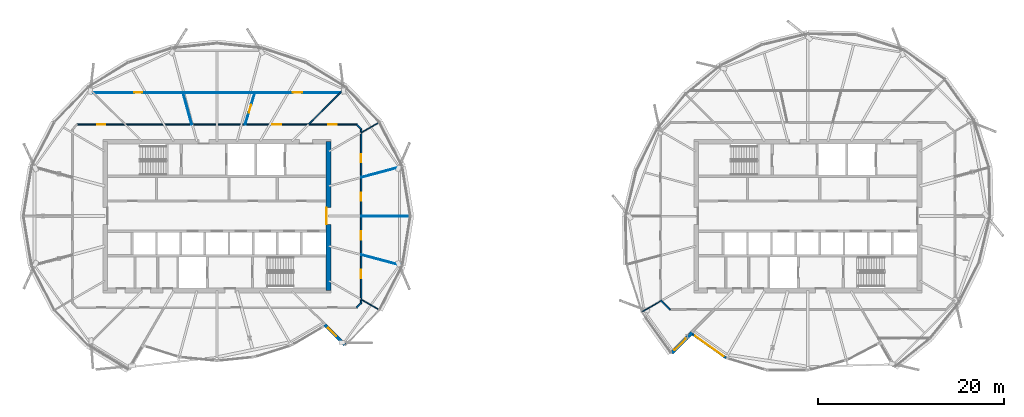
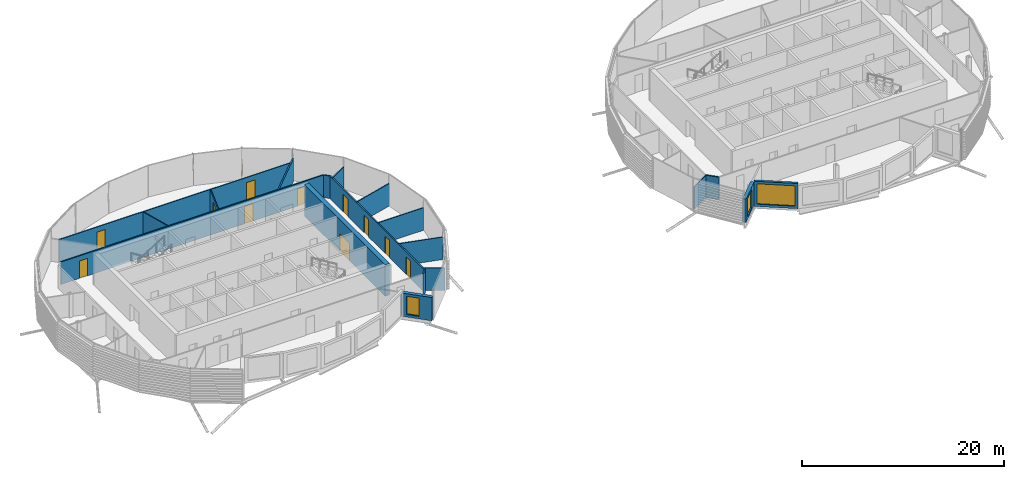
# One storey, part 20 of 35: 19 walls, 11 doors, 3 windows, 14 openings.
"""IFC4 building model written with IfcOpenShell, lengths in metres."""

from ifc_helpers import new_model, si_unit, direction, frame, frame_2d, origin, place, context, subcontext, project, spatial, rectangle, extrude, material, layer, layer_set, type_object, element, fill, save


model = new_model("IFC4")

# Units and contexts
model_context = context("Model", 3, precision=1e-05, world=origin(), true_north=direction((0.0, 1.0)))
body_context = subcontext(model_context, "Body", "Model", "MODEL_VIEW")
ifc_project = project(units=[si_unit("LENGTHUNIT", "METRE"), si_unit("AREAUNIT", "SQUARE_METRE"), si_unit("VOLUMEUNIT", "CUBIC_METRE"), si_unit("PLANEANGLEUNIT", "RADIAN"), si_unit("MASSUNIT", "GRAM", prefix="KILO")], contexts=[model_context])

# Site, building, storey
site_placement = place(None, origin())
site = spatial("IfcSite", under=ifc_project, at=site_placement, CompositionType="ELEMENT")
building_placement = place(site_placement, origin())
building = spatial("IfcBuilding", under=site, at=building_placement, Name="Rimbun Link Towers", CompositionType="ELEMENT")
storey_placement = place(building_placement, frame((0.0, 0.0, 229.5)))
storey = spatial("IfcBuildingStorey", under=building, at=storey_placement, Name="L56", CompositionType="ELEMENT", Elevation=229.5)

# Wall, opening, window
ifc_material_1 = material(Name="Dark enamelled glass spandrel on insulated aluminium backpan", Category="aluminium")
ifc_layer_1 = layer(ifc_material_1, 0.25)
ifc_layer_set_1 = layer_set([ifc_layer_1], Name="CS dark enamelled spandrel wall 250")
wall_type_1 = type_object("IfcWallType", Name="CS dark enamelled spandrel wall 250", PredefinedType="STANDARD", material=ifc_layer_set_1)
wall_1_placement = place(storey_placement, frame((22.960205078125, -15.24169921875, 0.0), z_axis=(0.0, 0.0, 1.0), x_axis=(-0.815761140311, 0.57838893658, 0.0)))
wall_1 = element("IfcWall", 1, at=wall_1_placement, inside=storey, type_object=wall_type_1, Name="Crease spandrel wall", PredefinedType="STANDARD", context=body_context, shape_type="SweptSolid", body=[
    extrude(rectangle(XDim=4.374267578125, YDim=0.25, at=frame_2d((2.18701171875, 0.0))), origin(), (0.0, 0.0, 1.0), 3.04736328125),
])
opening_1_placement = place(wall_1_placement, frame((0.312255859375, 0.0, 0.300048828125)))
opening_1 = element("IfcOpeningElement", 2, at=opening_1_placement, cuts=wall_1, Name="Opening WR38H245", PredefinedType="OPENING", context=body_context, shape_type="SweptSolid", body=[
    extrude(rectangle(XDim=3.75, YDim=2.449951171875, at=frame_2d((1.875, 1.22509765625))), frame((0.0, 0.135009765625, 0.0), z_axis=(0.0, -1.0, 0.0), x_axis=(1.0, 0.0, 0.0)), (0.0, 0.0, 1.0), 0.27001953125),
])
ifc_material_2 = material(Name="Aluminium framed fixed window, dark tinted low-e glass", Category="aluminium")
window_type_1 = type_object("IfcWindowType", Name="WR ribbon window 3750X2450", PartitioningType="SINGLE_PANEL", PredefinedType="WINDOW", material=ifc_material_2)
window_1_placement = place(opening_1_placement, origin())
window_1 = element("IfcWindow", 3, at=window_1_placement, inside=storey, type_object=window_type_1, Name="Crease ribbon window", OverallHeight=2.449951171875, OverallWidth=3.75, PartitioningType="SINGLE_PANEL", PredefinedType="WINDOW", context=body_context, shape_type="SweptSolid", body=[
    extrude(rectangle(XDim=3.75, YDim=2.449951171875, at=frame_2d((1.875, 1.22509765625))), frame((0.0, 0.030029296875, 0.0), z_axis=(0.0, -1.0, 0.0), x_axis=(1.0, 0.0, 0.0)), (0.0, 0.0, 1.0), 0.06005859375),
])
fill(opening_1, window_1)

ifc_material_3 = material(Name="Dark enamelled glass spandrel on insulated aluminium backpan", Category="aluminium")
ifc_layer_2 = layer(ifc_material_3, 0.3701171875)
ifc_layer_set_2 = layer_set([ifc_layer_2], Name="CS dark enamelled spandrel wall 370")
wall_type_2 = type_object("IfcWallType", Name="CS dark enamelled spandrel wall 370", PredefinedType="STANDARD", material=ifc_layer_set_2)
wall_2_placement = place(storey_placement, frame((-17.9951171875, -13.846923828125, 0.0), z_axis=(0.0, 0.0, 1.0), x_axis=(-0.707106781187, 0.707106781187, 0.0)))
wall_2 = element("IfcWall", 4, at=wall_2_placement, inside=storey, type_object=wall_type_2, Name="Crease spandrel wall", PredefinedType="STANDARD", context=body_context, shape_type="SweptSolid", body=[
    extrude(rectangle(XDim=3.080078125, YDim=0.3701171875, at=frame_2d((1.5400390625, 0.0))), origin(), (0.0, 0.0, 1.0), 2.809326171875),
])
opening_2_placement = place(wall_2_placement, frame((1.322265625, 0.0, 0.300048828125)))
opening_2 = element("IfcOpeningElement", 5, at=opening_2_placement, cuts=wall_2, Name="Opening WR12H220", PredefinedType="OPENING", context=body_context, shape_type="SweptSolid", body=[
    extrude(rectangle(XDim=1.25, YDim=2.199951171875, at=frame_2d((0.625, 1.10009765625))), frame((0.0, 0.195068359375, 0.0), z_axis=(0.0, -1.0, 0.0), x_axis=(1.0, 0.0, 0.0)), (0.0, 0.0, 1.0), 0.39013671875),
])
ifc_material_4 = material(Name="Aluminium framed fixed window, dark tinted low-e glass", Category="aluminium")
window_type_2 = type_object("IfcWindowType", Name="WR ribbon window 1250X2200", PartitioningType="SINGLE_PANEL", PredefinedType="WINDOW", material=ifc_material_4)
window_2_placement = place(opening_2_placement, origin())
window_2 = element("IfcWindow", 6, at=window_2_placement, inside=storey, type_object=window_type_2, Name="Crease ribbon window", OverallHeight=2.199951171875, OverallWidth=1.25, PartitioningType="SINGLE_PANEL", PredefinedType="WINDOW", context=body_context, shape_type="SweptSolid", body=[
    extrude(rectangle(XDim=1.25, YDim=2.199951171875, at=frame_2d((0.625, 1.10009765625))), frame((0.0, 0.030029296875, 0.0), z_axis=(0.0, -1.0, 0.0), x_axis=(1.0, 0.0, 0.0)), (0.0, 0.0, 1.0), 0.06005859375),
])
fill(opening_2, window_2)

wall_3_placement = place(storey_placement, frame((19.320556640625, -12.521240234375, 0.0), z_axis=(0.0, 0.0, 1.0), x_axis=(-0.707067146267, -0.707146413884, 0.0)))
wall_3 = element("IfcWall", 7, at=wall_3_placement, inside=storey, type_object=wall_type_2, Name="Crease spandrel wall", PredefinedType="STANDARD", context=body_context, shape_type="SweptSolid", body=[
    extrude(rectangle(XDim=3.079833984375, YDim=0.3701171875, at=frame_2d((1.5400390625, 0.0))), origin(), (0.0, 0.0, 1.0), 2.809326171875),
])
opening_3_placement = place(wall_3_placement, frame((0.90576171875, 0.0, 0.300048828125)))
opening_3 = element("IfcOpeningElement", 8, at=opening_3_placement, cuts=wall_3, Name="Opening WR18H220", PredefinedType="OPENING", context=body_context, shape_type="SweptSolid", body=[
    extrude(rectangle(XDim=1.75, YDim=2.199951171875, at=frame_2d((0.875, 1.10009765625))), frame((0.0, 0.195068359375, 0.0), z_axis=(0.0, -1.0, 0.0), x_axis=(1.0, 0.0, 0.0)), (0.0, 0.0, 1.0), 0.39013671875),
])
ifc_material_5 = material(Name="Aluminium framed fixed window, dark tinted low-e glass", Category="aluminium")
window_type_3 = type_object("IfcWindowType", Name="WR ribbon window 1750X2200", PartitioningType="SINGLE_PANEL", PredefinedType="WINDOW", material=ifc_material_5)
window_3_placement = place(opening_3_placement, origin())
window_3 = element("IfcWindow", 9, at=window_3_placement, inside=storey, type_object=window_type_3, Name="Crease ribbon window", OverallHeight=2.199951171875, OverallWidth=1.75, PartitioningType="SINGLE_PANEL", PredefinedType="WINDOW", context=body_context, shape_type="SweptSolid", body=[
    extrude(rectangle(XDim=1.75, YDim=2.199951171875, at=frame_2d((0.875, 1.10009765625))), frame((0.0, 0.030029296875, 0.0), z_axis=(0.0, -1.0, 0.0), x_axis=(1.0, 0.0, 0.0)), (0.0, 0.0, 1.0), 0.06005859375),
])
fill(opening_3, window_3)

# Wall, opening, door
ifc_material_6 = material(Name="Concrete C60/75", Category="concrete")
ifc_layer_3 = layer(ifc_material_6, 0.5)
ifc_layer_set_3 = layer_set([ifc_layer_3], Name="Core shear wall 500")
wall_type_3 = type_object("IfcWallType", Name="Core shear wall 500", PredefinedType="SHEAR", material=ifc_layer_set_3)
wall_4_placement = place(storey_placement, frame((-19.75, -8.0, 0.0), z_axis=(0.0, 0.0, 1.0), x_axis=(0.0, 1.0, 0.0)))
wall_4 = element("IfcWall", 10, at=wall_4_placement, inside=storey, type_object=wall_type_3, Name="L56 T1 core wall E", PredefinedType="SHEAR", context=body_context, shape_type="SweptSolid", body=[
    extrude(rectangle(XDim=16.0, YDim=0.5, at=frame_2d((8.0, 0.0))), origin(), (0.0, 0.0, 1.0), 3.800048828125),
])
opening_4_placement = place(wall_4_placement, frame((7.10009765625, 0.0, 0.0)))
opening_4 = element("IfcOpeningElement", 11, at=opening_4_placement, cuts=wall_4, Name="Opening C1DCL01E", PredefinedType="OPENING", context=body_context, shape_type="SweptSolid", body=[
    extrude(rectangle(XDim=1.800048828125, YDim=2.10009765625, at=frame_2d((0.89990234375, 1.050048828125))), frame((0.0, 0.260009765625, 0.0), z_axis=(0.0, -1.0, 0.0), x_axis=(1.0, 0.0, 0.0)), (0.0, 0.0, 1.0), 0.52001953125),
])
ifc_material_7 = material(Name="Steel fire door set", Category="steel")
door_type_1 = type_object("IfcDoorType", Name="Core lobby door double", OperationType="DOUBLE_DOOR_SINGLE_SWING", PredefinedType="DOOR", material=ifc_material_7)
door_1_placement = place(opening_4_placement, origin())
door_1 = element("IfcDoor", 12, at=door_1_placement, inside=storey, type_object=door_type_1, Name="L56 T1 lift lobby door", OperationType="DOUBLE_DOOR_SINGLE_SWING", OverallHeight=2.10009765625, OverallWidth=1.800048828125, PredefinedType="DOOR", context=body_context, shape_type="SweptSolid", body=[
    extrude(rectangle(XDim=1.800048828125, YDim=2.10009765625, at=frame_2d((0.89990234375, 1.050048828125))), frame((0.0, 0.25, 0.0), z_axis=(0.0, -1.0, 0.0), x_axis=(1.0, 0.0, 0.0)), (0.0, 0.0, 1.0), 0.050048828125),
])
fill(opening_4, door_1)

# Wall, openings, doors
ifc_material_8 = material(Name="Plasterboard on steel stud, mineral wool", Category="steel")
ifc_layer_4 = layer(ifc_material_8, 0.14990234375)
ifc_layer_set_4 = layer_set([ifc_layer_4], Name="Corridor wall EI 30 150 mm")
wall_type_4 = type_object("IfcWallType", Name="Corridor wall EI 30 150 mm", PredefinedType="PARTITIONING", material=ifc_layer_set_4)
wall_5_placement = place(storey_placement, frame((-46.753662109375, 9.844970703125, 0.0), z_axis=(0.0, 0.0, 1.0), x_axis=(1.0, 0.0, 0.0)))
wall_5 = element("IfcWall", 13, at=wall_5_placement, inside=storey, type_object=wall_type_4, Name="Corridor wall EI 30 150 mm", PredefinedType="PARTITIONING", context=body_context, shape_type="SweptSolid", body=[
    extrude(rectangle(XDim=30.00732421875, YDim=0.14990234375, at=frame_2d((15.003662109375, 0.0))), origin(), (0.0, 0.0, 1.0), 2.721923828125),
])
opening_5_placement = place(wall_5_placement, frame((26.97802734375, 0.0, 0.0)))
opening_5 = element("IfcOpeningElement", 14, at=opening_5_placement, cuts=wall_5, Name="Opening D02", PredefinedType="OPENING", context=body_context, shape_type="SweptSolid", body=[
    extrude(rectangle(XDim=0.89990234375, YDim=2.10009765625, at=frame_2d((0.449951171875, 1.050048828125))), frame((0.0, 0.0849609375, 0.0), z_axis=(0.0, -1.0, 0.0), x_axis=(1.0, 0.0, 0.0)), (0.0, 0.0, 1.0), 0.169921875),
])
opening_6_placement = place(wall_5_placement, frame((20.942138671875, 0.0, 0.0)))
opening_6 = element("IfcOpeningElement", 15, at=opening_6_placement, cuts=wall_5, Name="Opening D01", PredefinedType="OPENING", context=body_context, shape_type="SweptSolid", body=[
    extrude(rectangle(XDim=1.0, YDim=2.10009765625, at=frame_2d((0.5, 1.050048828125))), frame((0.0, 0.0849609375, 0.0), z_axis=(0.0, -1.0, 0.0), x_axis=(1.0, 0.0, 0.0)), (0.0, 0.0, 1.0), 0.169921875),
])
opening_7_placement = place(wall_5_placement, frame((2.12939453125, 0.0, 0.0)))
opening_7 = element("IfcOpeningElement", 16, at=opening_7_placement, cuts=wall_5, Name="Opening D02", PredefinedType="OPENING", context=body_context, shape_type="SweptSolid", body=[
    extrude(rectangle(XDim=0.89990234375, YDim=2.10009765625, at=frame_2d((0.449951171875, 1.050048828125))), frame((0.0, 0.0849609375, 0.0), z_axis=(0.0, -1.0, 0.0), x_axis=(1.0, 0.0, 0.0)), (0.0, 0.0, 1.0), 0.169921875),
])
ifc_material_9 = material(Name="Fire-resisting timber door leaf", Category="wood")
door_type_2 = type_object("IfcDoorType", Name="Fire door FD30S 1000", OperationType="NOTDEFINED", PredefinedType="DOOR", material=ifc_material_9)
door_2_placement = place(opening_6_placement, origin())
door_2 = element("IfcDoor", 17, at=door_2_placement, inside=storey, type_object=door_type_2, Name="Fire door FD30S 1000 to Reception", OperationType="SINGLE_SWING_LEFT", OverallHeight=2.10009765625, OverallWidth=1.0, PredefinedType="DOOR", context=body_context, shape_type="SweptSolid", body=[
    extrude(rectangle(XDim=1.0, YDim=2.10009765625, at=frame_2d((0.5, 1.050048828125))), frame((0.0, 0.02490234375, 0.0), z_axis=(0.0, -1.0, 0.0), x_axis=(1.0, 0.0, 0.0)), (0.0, 0.0, 1.0), 0.050048828125),
])
fill(opening_6, door_2)
ifc_material_10 = material(Name="Fire-resisting timber door leaf", Category="wood")
door_type_3 = type_object("IfcDoorType", Name="Fire door FD30S 900", OperationType="NOTDEFINED", PredefinedType="DOOR", material=ifc_material_10)
door_3_placement = place(opening_5_placement, origin())
door_3 = element("IfcDoor", 18, at=door_3_placement, inside=storey, type_object=door_type_3, Name="Fire door FD30S 900 to Executive office", OperationType="SINGLE_SWING_RIGHT", OverallHeight=2.10009765625, OverallWidth=0.89990234375, PredefinedType="DOOR", context=body_context, shape_type="SweptSolid", body=[
    extrude(rectangle(XDim=0.89990234375, YDim=2.10009765625, at=frame_2d((0.449951171875, 1.050048828125))), frame((0.0, 0.02490234375, 0.0), z_axis=(0.0, -1.0, 0.0), x_axis=(1.0, 0.0, 0.0)), (0.0, 0.0, 1.0), 0.050048828125),
])
fill(opening_5, door_3)
door_4_placement = place(opening_7_placement, origin())
door_4 = element("IfcDoor", 19, at=door_4_placement, inside=storey, type_object=door_type_3, Name="Fire door FD30S 900 to Boardroom", OperationType="SINGLE_SWING_RIGHT", OverallHeight=2.10009765625, OverallWidth=0.89990234375, PredefinedType="DOOR", context=body_context, shape_type="SweptSolid", body=[
    extrude(rectangle(XDim=0.89990234375, YDim=2.10009765625, at=frame_2d((0.449951171875, 1.050048828125))), frame((0.0, 0.02490234375, 0.0), z_axis=(0.0, -1.0, 0.0), x_axis=(1.0, 0.0, 0.0)), (0.0, 0.0, 1.0), 0.050048828125),
])
fill(opening_7, door_4)

# Wall
wall_6_placement = place(storey_placement, frame((-16.2451171875, 9.34375, 0.0), z_axis=(0.0, 0.0, 1.0), x_axis=(-0.707106781187, 0.707106781187, 0.0)))
element("IfcWall", 20, at=wall_6_placement, inside=storey, type_object=wall_type_4, Name="Corridor wall EI 30 150 mm", PredefinedType="PARTITIONING", context=body_context, shape_type="SweptSolid", body=[
    extrude(rectangle(XDim=0.708740234375, YDim=0.14990234375, at=frame_2d((0.3544921875, 0.0))), origin(), (0.0, 0.0, 1.0), 2.721923828125),
])

# Wall, openings, doors
wall_7_placement = place(storey_placement, frame((-16.2451171875, 9.34375, 0.0), z_axis=(0.0, 0.0, 1.0), x_axis=(0.0, -1.0, 0.0)))
wall_7 = element("IfcWall", 21, at=wall_7_placement, inside=storey, type_object=wall_type_4, Name="Corridor wall EI 30 150 mm", PredefinedType="PARTITIONING", context=body_context, shape_type="SweptSolid", body=[
    extrude(rectangle(XDim=18.6875, YDim=0.14990234375, at=frame_2d((9.34375, 0.0))), origin(), (0.0, 0.0, 1.0), 2.721923828125),
])
opening_8_placement = place(wall_7_placement, frame((15.111083984375, 0.0, 0.0)))
opening_8 = element("IfcOpeningElement", 22, at=opening_8_placement, cuts=wall_7, Name="Opening D02", PredefinedType="OPENING", context=body_context, shape_type="SweptSolid", body=[
    extrude(rectangle(XDim=0.89990234375, YDim=2.10009765625, at=frame_2d((0.449951171875, 1.050048828125))), frame((0.0, 0.0849609375, 0.0), z_axis=(0.0, -1.0, 0.0), x_axis=(1.0, 0.0, 0.0)), (0.0, 0.0, 1.0), 0.169921875),
])
opening_9_placement = place(wall_7_placement, frame((10.970947265625, 0.0, 0.0)))
opening_9 = element("IfcOpeningElement", 23, at=opening_9_placement, cuts=wall_7, Name="Opening D02", PredefinedType="OPENING", context=body_context, shape_type="SweptSolid", body=[
    extrude(rectangle(XDim=0.89990234375, YDim=2.10009765625, at=frame_2d((0.449951171875, 1.050048828125))), frame((0.0, 0.0849609375, 0.0), z_axis=(0.0, -1.0, 0.0), x_axis=(1.0, 0.0, 0.0)), (0.0, 0.0, 1.0), 0.169921875),
])
opening_10_placement = place(wall_7_placement, frame((6.81640625, 0.0, 0.0)))
opening_10 = element("IfcOpeningElement", 24, at=opening_10_placement, cuts=wall_7, Name="Opening D02", PredefinedType="OPENING", context=body_context, shape_type="SweptSolid", body=[
    extrude(rectangle(XDim=0.89990234375, YDim=2.10009765625, at=frame_2d((0.449951171875, 1.050048828125))), frame((0.0, 0.0849609375, 0.0), z_axis=(0.0, -1.0, 0.0), x_axis=(1.0, 0.0, 0.0)), (0.0, 0.0, 1.0), 0.169921875),
])
opening_11_placement = place(wall_7_placement, frame((2.676513671875, 0.0, 0.0)))
opening_11 = element("IfcOpeningElement", 25, at=opening_11_placement, cuts=wall_7, Name="Opening D02", PredefinedType="OPENING", context=body_context, shape_type="SweptSolid", body=[
    extrude(rectangle(XDim=0.89990234375, YDim=2.10009765625, at=frame_2d((0.449951171875, 1.050048828125))), frame((0.0, 0.0849609375, 0.0), z_axis=(0.0, -1.0, 0.0), x_axis=(1.0, 0.0, 0.0)), (0.0, 0.0, 1.0), 0.169921875),
])
door_5_placement = place(opening_8_placement, origin())
door_5 = element("IfcDoor", 26, at=door_5_placement, inside=storey, type_object=door_type_3, Name="Fire door FD30S 900 to Executive office", OperationType="SINGLE_SWING_RIGHT", OverallHeight=2.10009765625, OverallWidth=0.89990234375, PredefinedType="DOOR", context=body_context, shape_type="SweptSolid", body=[
    extrude(rectangle(XDim=0.89990234375, YDim=2.10009765625, at=frame_2d((0.449951171875, 1.050048828125))), frame((0.0, 0.02490234375, 0.0), z_axis=(0.0, -1.0, 0.0), x_axis=(1.0, 0.0, 0.0)), (0.0, 0.0, 1.0), 0.050048828125),
])
fill(opening_8, door_5)
door_6_placement = place(opening_9_placement, origin())
door_6 = element("IfcDoor", 27, at=door_6_placement, inside=storey, type_object=door_type_3, Name="Fire door FD30S 900 to Open office", OperationType="SINGLE_SWING_LEFT", OverallHeight=2.10009765625, OverallWidth=0.89990234375, PredefinedType="DOOR", context=body_context, shape_type="SweptSolid", body=[
    extrude(rectangle(XDim=0.89990234375, YDim=2.10009765625, at=frame_2d((0.449951171875, 1.050048828125))), frame((0.0, 0.02490234375, 0.0), z_axis=(0.0, -1.0, 0.0), x_axis=(1.0, 0.0, 0.0)), (0.0, 0.0, 1.0), 0.050048828125),
])
fill(opening_9, door_6)
door_7_placement = place(opening_10_placement, origin())
door_7 = element("IfcDoor", 28, at=door_7_placement, inside=storey, type_object=door_type_3, Name="Fire door FD30S 900 to Boardroom", OperationType="SINGLE_SWING_RIGHT", OverallHeight=2.10009765625, OverallWidth=0.89990234375, PredefinedType="DOOR", context=body_context, shape_type="SweptSolid", body=[
    extrude(rectangle(XDim=0.89990234375, YDim=2.10009765625, at=frame_2d((0.449951171875, 1.050048828125))), frame((0.0, 0.02490234375, 0.0), z_axis=(0.0, -1.0, 0.0), x_axis=(1.0, 0.0, 0.0)), (0.0, 0.0, 1.0), 0.050048828125),
])
fill(opening_10, door_7)
door_8_placement = place(opening_11_placement, origin())
door_8 = element("IfcDoor", 29, at=door_8_placement, inside=storey, type_object=door_type_3, Name="Fire door FD30S 900 to Meeting room", OperationType="SINGLE_SWING_LEFT", OverallHeight=2.10009765625, OverallWidth=0.89990234375, PredefinedType="DOOR", context=body_context, shape_type="SweptSolid", body=[
    extrude(rectangle(XDim=0.89990234375, YDim=2.10009765625, at=frame_2d((0.449951171875, 1.050048828125))), frame((0.0, 0.02490234375, 0.0), z_axis=(0.0, -1.0, 0.0), x_axis=(1.0, 0.0, 0.0)), (0.0, 0.0, 1.0), 0.050048828125),
])
fill(opening_11, door_8)

# Walls
wall_8_placement = place(storey_placement, frame((-16.746337890625, -9.844970703125, 0.0), z_axis=(0.0, 0.0, 1.0), x_axis=(0.707106781187, 0.707106781187, 0.0)))
element("IfcWall", 30, at=wall_8_placement, inside=storey, type_object=wall_type_4, Name="Corridor wall EI 30 150 mm", PredefinedType="PARTITIONING", context=body_context, shape_type="SweptSolid", body=[
    extrude(rectangle(XDim=0.708740234375, YDim=0.14990234375, at=frame_2d((0.3544921875, 0.0))), origin(), (0.0, 0.0, 1.0), 2.721923828125),
])
wall_9_placement = place(storey_placement, frame((15.945068359375, -9.043701171875, 0.0), z_axis=(0.0, 0.0, 1.0), x_axis=(0.707106781187, -0.707106781187, 0.0)))
element("IfcWall", 31, at=wall_9_placement, inside=storey, type_object=wall_type_4, Name="Corridor wall EI 30 150 mm", PredefinedType="PARTITIONING", context=body_context, shape_type="SweptSolid", body=[
    extrude(rectangle(XDim=1.416015625, YDim=0.14990234375, at=frame_2d((0.7080078125, 0.0))), origin(), (0.0, 0.0, 1.0), 2.721923828125),
])
ifc_material_11 = material(Name="Plasterboard on steel stud", Category="steel")
ifc_layer_5 = layer(ifc_material_11, 0.10009765625)
ifc_layer_set_5 = layer_set([ifc_layer_5], Name="Plasterboard partition 100 mm")
wall_type_5 = type_object("IfcWallType", Name="Plasterboard partition 100 mm", PredefinedType="PARTITIONING", material=ifc_layer_set_5)
wall_10_placement = place(storey_placement, frame((-14.331787109375, -10.056396484375, 0.0), z_axis=(0.0, 0.0, 1.0), x_axis=(-0.866058613861, 0.499942474047, 0.0)))
element("IfcWall", 32, at=wall_10_placement, inside=storey, type_object=wall_type_5, Name="Plasterboard partition 100 mm", PredefinedType="PARTITIONING", context=body_context, shape_type="SweptSolid", body=[
    extrude(rectangle(XDim=2.209228515625, YDim=0.10009765625, at=frame_2d((1.1044921875, 0.0))), origin(), (0.0, 0.0, 1.0), 2.721923828125),
])
wall_11_placement = place(storey_placement, frame((-11.8828125, -5.323486328125, 0.0), z_axis=(0.0, 0.0, 1.0), x_axis=(-0.965921990313, 0.258833360735, 0.0)))
element("IfcWall", 33, at=wall_11_placement, inside=storey, type_object=wall_type_5, Name="Plasterboard partition 100 mm", PredefinedType="PARTITIONING", context=body_context, shape_type="SweptSolid", body=[
    extrude(rectangle(XDim=4.51611328125, YDim=0.10009765625, at=frame_2d((2.258056640625, 0.0))), origin(), (0.0, 0.0, 1.0), 2.721923828125),
])
wall_12_placement = place(storey_placement, frame((-11.00732421875, 0.0, 0.0), z_axis=(0.0, 0.0, 1.0), x_axis=(-1.0, 0.0, 0.0)))
element("IfcWall", 34, at=wall_12_placement, inside=storey, type_object=wall_type_5, Name="Plasterboard partition 100 mm", PredefinedType="PARTITIONING", context=body_context, shape_type="SweptSolid", body=[
    extrude(rectangle(XDim=5.23779296875, YDim=0.10009765625, at=frame_2d((2.618896484375, 0.0))), origin(), (0.0, 0.0, 1.0), 2.721923828125),
])
wall_13_placement = place(storey_placement, frame((-11.8828125, 5.323486328125, 0.0), z_axis=(0.0, 0.0, 1.0), x_axis=(-0.965921990313, -0.258833360735, 0.0)))
element("IfcWall", 35, at=wall_13_placement, inside=storey, type_object=wall_type_5, Name="Plasterboard partition 100 mm", PredefinedType="PARTITIONING", context=body_context, shape_type="SweptSolid", body=[
    extrude(rectangle(XDim=4.51611328125, YDim=0.10009765625, at=frame_2d((2.258056640625, 0.0))), origin(), (0.0, 0.0, 1.0), 2.721923828125),
])
wall_14_placement = place(storey_placement, frame((-14.331787109375, 10.056396484375, 0.0), z_axis=(0.0, 0.0, 1.0), x_axis=(-0.866058613861, -0.499942474047, 0.0)))
element("IfcWall", 36, at=wall_14_placement, inside=storey, type_object=wall_type_5, Name="Plasterboard partition 100 mm", PredefinedType="PARTITIONING", context=body_context, shape_type="SweptSolid", body=[
    extrude(rectangle(XDim=2.209228515625, YDim=0.10009765625, at=frame_2d((1.1044921875, 0.0))), origin(), (0.0, 0.0, 1.0), 2.721923828125),
])

# Wall, opening, door
wall_15_placement = place(storey_placement, frame((-28.71826171875, 9.844970703125, 0.0), z_axis=(0.0, 0.0, 1.0), x_axis=(0.294387864985, 0.955686028437, 0.0)))
wall_15 = element("IfcWall", 37, at=wall_15_placement, inside=storey, type_object=wall_type_5, Name="Plasterboard partition 100 mm", PredefinedType="PARTITIONING", context=body_context, shape_type="SweptSolid", body=[
    extrude(rectangle(XDim=3.57861328125, YDim=0.10009765625, at=frame_2d((1.789306640625, 0.0))), origin(), (0.0, 0.0, 1.0), 2.721923828125),
])
opening_12_placement = place(wall_15_placement, frame((1.33935546875, 0.0, 0.0)))
opening_12 = element("IfcOpeningElement", 38, at=opening_12_placement, cuts=wall_15, Name="Opening D04", PredefinedType="OPENING", context=body_context, shape_type="SweptSolid", body=[
    extrude(rectangle(XDim=0.89990234375, YDim=2.10009765625, at=frame_2d((0.449951171875, 1.050048828125))), frame((0.0, 0.06005859375, 0.0), z_axis=(0.0, -1.0, 0.0), x_axis=(1.0, 0.0, 0.0)), (0.0, 0.0, 1.0), 0.1201171875),
])
ifc_material_12 = material(Name="Timber door leaf", Category="wood")
door_type_4 = type_object("IfcDoorType", Name="Flush door 900", OperationType="NOTDEFINED", PredefinedType="DOOR", material=ifc_material_12)
door_9_placement = place(opening_12_placement, origin())
door_9 = element("IfcDoor", 39, at=door_9_placement, inside=storey, type_object=door_type_4, Name="Flush door 900 to Meeting room", OperationType="SINGLE_SWING_LEFT", OverallHeight=2.10009765625, OverallWidth=0.89990234375, PredefinedType="DOOR", context=body_context, shape_type="SweptSolid", body=[
    extrude(rectangle(XDim=0.89990234375, YDim=2.10009765625, at=frame_2d((0.449951171875, 1.050048828125))), frame((0.0, 0.02490234375, 0.0), z_axis=(0.0, -1.0, 0.0), x_axis=(1.0, 0.0, 0.0)), (0.0, 0.0, 1.0), 0.050048828125),
])
fill(opening_12, door_9)

# Wall, openings, doors
wall_16_placement = place(storey_placement, frame((-45.014892578125, 13.264892578125, 0.0), z_axis=(0.0, 0.0, 1.0), x_axis=(1.0, 0.0, 0.0)))
wall_16 = element("IfcWall", 40, at=wall_16_placement, inside=storey, type_object=wall_type_5, Name="Plasterboard partition 100 mm", PredefinedType="PARTITIONING", context=body_context, shape_type="SweptSolid", body=[
    extrude(rectangle(XDim=26.52978515625, YDim=0.10009765625, at=frame_2d((13.264892578125, 0.0))), origin(), (0.0, 0.0, 1.0), 2.721923828125),
])
opening_13_placement = place(wall_16_placement, frame((21.42431640625, 0.0, 0.0)))
opening_13 = element("IfcOpeningElement", 41, at=opening_13_placement, cuts=wall_16, Name="Opening D03", PredefinedType="OPENING", context=body_context, shape_type="SweptSolid", body=[
    extrude(rectangle(XDim=1.0, YDim=2.10009765625, at=frame_2d((0.5, 1.050048828125))), frame((0.0, 0.06005859375, 0.0), z_axis=(0.0, -1.0, 0.0), x_axis=(1.0, 0.0, 0.0)), (0.0, 0.0, 1.0), 0.1201171875),
])
opening_14_placement = place(wall_16_placement, frame((4.364990234375, 0.0, 0.0)))
opening_14 = element("IfcOpeningElement", 42, at=opening_14_placement, cuts=wall_16, Name="Opening D04", PredefinedType="OPENING", context=body_context, shape_type="SweptSolid", body=[
    extrude(rectangle(XDim=0.89990234375, YDim=2.10009765625, at=frame_2d((0.449951171875, 1.050048828125))), frame((0.0, 0.06005859375, 0.0), z_axis=(0.0, -1.0, 0.0), x_axis=(1.0, 0.0, 0.0)), (0.0, 0.0, 1.0), 0.1201171875),
])
ifc_material_13 = material(Name="Timber door leaf", Category="wood")
door_type_5 = type_object("IfcDoorType", Name="Flush door 1000", OperationType="NOTDEFINED", PredefinedType="DOOR", material=ifc_material_13)
door_10_placement = place(opening_13_placement, origin())
door_10 = element("IfcDoor", 43, at=door_10_placement, inside=storey, type_object=door_type_5, Name="Flush door 1000 to Open office", OperationType="SINGLE_SWING_RIGHT", OverallHeight=2.10009765625, OverallWidth=1.0, PredefinedType="DOOR", context=body_context, shape_type="SweptSolid", body=[
    extrude(rectangle(XDim=1.0, YDim=2.10009765625, at=frame_2d((0.5, 1.050048828125))), frame((0.0, 0.02490234375, 0.0), z_axis=(0.0, -1.0, 0.0), x_axis=(1.0, 0.0, 0.0)), (0.0, 0.0, 1.0), 0.050048828125),
])
fill(opening_13, door_10)
door_11_placement = place(opening_14_placement, origin())
door_11 = element("IfcDoor", 44, at=door_11_placement, inside=storey, type_object=door_type_4, Name="Flush door 900 to Print room", OperationType="SINGLE_SWING_LEFT", OverallHeight=2.10009765625, OverallWidth=0.89990234375, PredefinedType="DOOR", context=body_context, shape_type="SweptSolid", body=[
    extrude(rectangle(XDim=0.89990234375, YDim=2.10009765625, at=frame_2d((0.449951171875, 1.050048828125))), frame((0.0, 0.02490234375, 0.0), z_axis=(0.0, -1.0, 0.0), x_axis=(1.0, 0.0, 0.0)), (0.0, 0.0, 1.0), 0.050048828125),
])
fill(opening_14, door_11)

# Walls
wall_17_placement = place(storey_placement, frame((-35.385009765625, 13.264892578125, 0.0), z_axis=(0.0, 0.0, 1.0), x_axis=(0.264311470263, -0.964437373129, 0.0)))
element("IfcWall", 45, at=wall_17_placement, inside=storey, type_object=wall_type_5, Name="Plasterboard partition 100 mm", PredefinedType="PARTITIONING", context=body_context, shape_type="SweptSolid", body=[
    extrude(rectangle(XDim=3.546142578125, YDim=0.10009765625, at=frame_2d((1.77294921875, 0.0))), origin(), (0.0, 0.0, 1.0), 2.721923828125),
])
wall_18_placement = place(storey_placement, frame((13.9375, -10.2841796875, 0.0), z_axis=(0.0, 0.0, 1.0), x_axis=(0.865997488215, 0.500048348068, 0.0)))
element("IfcWall", 46, at=wall_18_placement, inside=storey, type_object=wall_type_5, Name="Plasterboard partition 100 mm", PredefinedType="PARTITIONING", context=body_context, shape_type="SweptSolid", body=[
    extrude(rectangle(XDim=2.377685546875, YDim=0.10009765625, at=frame_2d((1.18896484375, 0.0))), origin(), (0.0, 0.0, 1.0), 2.721923828125),
])
ifc_material_14 = material(Name="Plasterboard on steel stud, mineral wool", Category="steel")
ifc_layer_6 = layer(ifc_material_14, 0.14990234375)
ifc_layer_set_6 = layer_set([ifc_layer_6], Name="Tenancy separation wall EI 60 150 mm")
wall_type_6 = type_object("IfcWallType", Name="Tenancy separation wall EI 60 150 mm", PredefinedType="PARTITIONING", material=ifc_layer_set_6)
wall_19_placement = place(storey_placement, frame((-21.905029296875, 9.844970703125, 0.0), z_axis=(0.0, 0.0, 1.0), x_axis=(0.707106781187, 0.707106781187, 0.0)))
element("IfcWall", 47, at=wall_19_placement, inside=storey, type_object=wall_type_6, Name="Tenancy separation wall EI 60 150 mm", PredefinedType="PARTITIONING", context=body_context, shape_type="SweptSolid", body=[
    extrude(rectangle(XDim=5.614501953125, YDim=0.14990234375, at=frame_2d((2.80712890625, 0.0))), origin(), (0.0, 0.0, 1.0), 2.721923828125),
])

save(model, "model.ifc")
